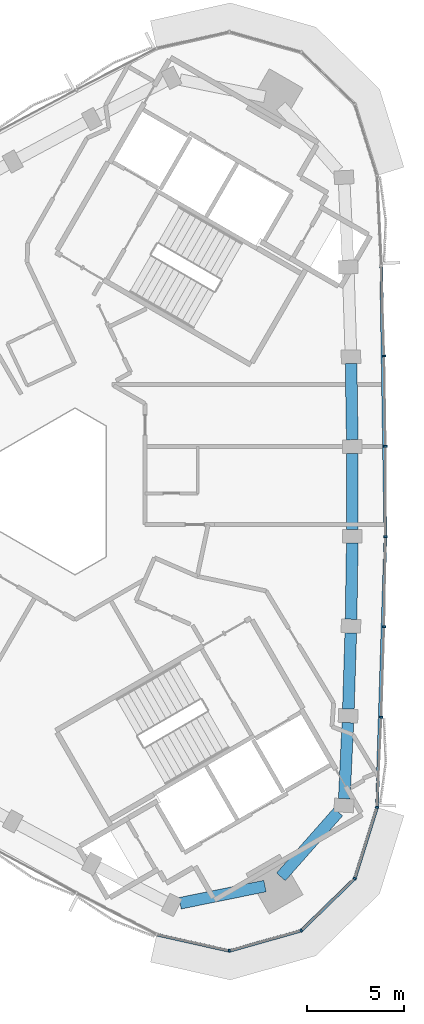
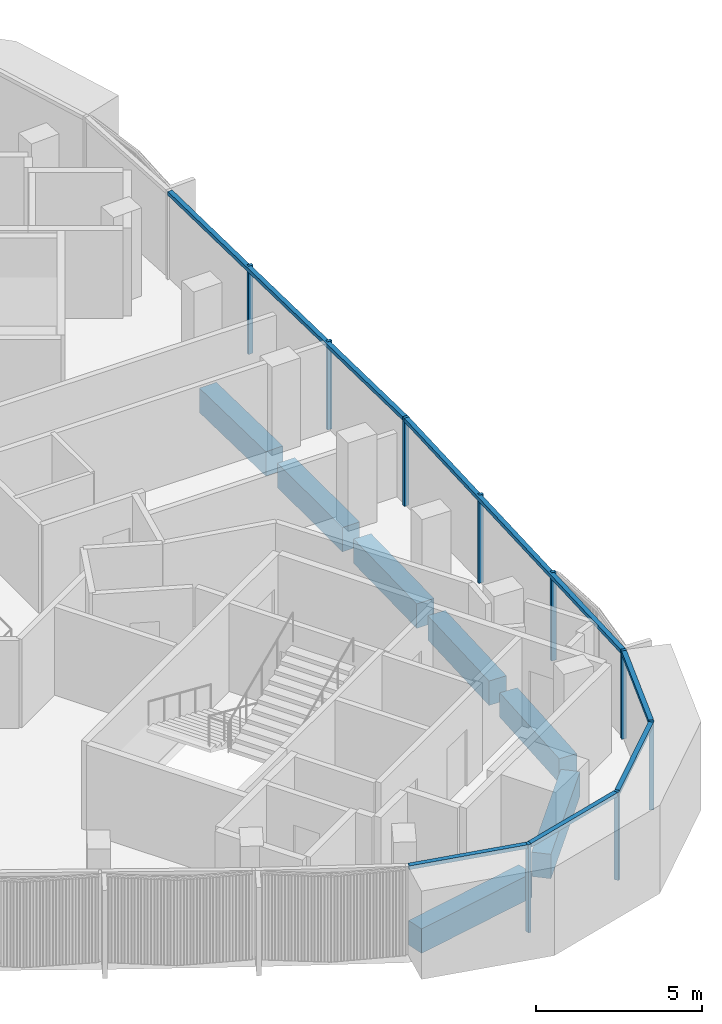
# One storey, part 3 of 12: 15 members, 7 beams, 2 elements without a shape of their own.
"""IFC4 building model written with IfcOpenShell, lengths in metres."""

import ifcopenshell
import ifcopenshell.guid

model = None  # the IFC model being written
_history = None  # IfcOwnerHistory: only IFC2X3 demands one
_inside = {}  # id of a spatial element -> (the spatial element, [elements in it])
_under = {}  # id of a project, library or spatial element -> (it, [spatial elements below it])
_declared = {}  # id of a project -> (the project, [libraries it declares])
_typed = {}  # id of a type object -> (the type object, [elements of that type])
_made_of = {}  # id of a material, layer set ... -> (it, [elements and type objects made of it])


def new_model(schema):
    """Start an empty IFC model of exactly this schema.

    Asked for "IFC4X3", IfcOpenShell would pick the latest addendum, in which some entities
    have other attributes; the version numbers below select the first issue.
    IFC2X3 requires an IfcOwnerHistory on every rooted entity: one is made here for all.
    """
    global model, _history
    if schema == "IFC4X3":
        model = ifcopenshell.file(schema_version=(4, 3, 0, 0))
    else:
        model = ifcopenshell.file(schema=schema)
    _inside.clear()
    _under.clear()
    _declared.clear()
    _typed.clear()
    _made_of.clear()
    _history = None
    if model.schema == "IFC2X3":
        org = make("IfcOrganization", Name="unknown")
        user = make(
            "IfcPersonAndOrganization",
            ThePerson=make("IfcPerson", FamilyName="unknown"),
            TheOrganization=org,
        )
        app = make(
            "IfcApplication",
            ApplicationDeveloper=org,
            Version="unknown",
            ApplicationFullName="unknown",
            ApplicationIdentifier="unknown",
        )
        _history = make(
            "IfcOwnerHistory",
            OwningUser=user,
            OwningApplication=app,
            ChangeAction="ADDED",
            CreationDate=0,
        )
    return model


def make(cls, **values):
    """One entity of the class cls with the attributes given. An attribute that is None is left unset."""
    return model.create_entity(
        cls, **{name: value for name, value in values.items() if value is not None}
    )


def rooted(cls, **values):
    """An entity with a GlobalId (a new one), such as an element, a storey or a relation."""
    return make(cls, GlobalId=ifcopenshell.guid.new(), OwnerHistory=_history, **values)


def si_unit(unit_type, name, prefix=None):
    """IfcSIUnit, for example si_unit("LENGTHUNIT", "METRE", prefix="MILLI")."""
    return make("IfcSIUnit", UnitType=unit_type, Prefix=prefix, Name=name)


def assignment(units):
    """IfcUnitAssignment: the units of a project."""
    return None if units is None else make("IfcUnitAssignment", Units=units)


def point(xyz):
    """IfcCartesianPoint."""
    return None if xyz is None else make("IfcCartesianPoint", Coordinates=xyz)


def direction(xyz):
    """IfcDirection."""
    return None if xyz is None else make("IfcDirection", DirectionRatios=xyz)


def frame(location, z_axis=None, x_axis=None):
    """IfcAxis2Placement3D, a coordinate frame: its origin and axes. An axis left out is left unset."""
    return make(
        "IfcAxis2Placement3D",
        Location=point(location),
        Axis=direction(z_axis),
        RefDirection=direction(x_axis),
    )


def frame_2d(location, x_axis=None):
    """IfcAxis2Placement2D, a coordinate frame in the plane: its origin and x axis."""
    return make(
        "IfcAxis2Placement2D", Location=point(location), RefDirection=direction(x_axis)
    )


def origin():
    """The frame at (0, 0, 0) with its axes left unset."""
    return frame((0.0, 0.0, 0.0))


def origin_2d():
    """The frame at (0, 0) in the plane with its x axis left unset."""
    return frame_2d((0.0, 0.0))


def place(relative_to, where):
    """IfcLocalPlacement: puts the frame where relative to a parent placement (None: the world)."""
    return make(
        "IfcLocalPlacement", PlacementRelTo=relative_to, RelativePlacement=where
    )


def context(
    kind, dimensions, precision=None, world=None, true_north=None, identifier=None
):
    """IfcGeometricRepresentationContext, for example the 3D "Model" context."""
    return make(
        "IfcGeometricRepresentationContext",
        ContextIdentifier=identifier,
        ContextType=kind,
        CoordinateSpaceDimension=dimensions,
        Precision=precision,
        WorldCoordinateSystem=world,
        TrueNorth=true_north,
    )


def subcontext(parent, identifier, kind, view, scale=None):
    """IfcGeometricRepresentationSubContext, for example "Body" below "Model"."""
    return make(
        "IfcGeometricRepresentationSubContext",
        ContextIdentifier=identifier,
        ContextType=kind,
        ParentContext=parent,
        TargetScale=scale,
        TargetView=view,
    )


def project(units=None, contexts=None):
    """IfcProject with its units and contexts."""
    return rooted(
        "IfcProject",
        Name="project",
        RepresentationContexts=contexts,
        UnitsInContext=assignment(units),
    )


def spatial(cls, under=None, at=None, **own):
    """A site, building, storey or space (cls), placed at a placement, below another one or the project."""
    s = rooted(cls, ObjectPlacement=at, **own)
    if under is not None:
        _under.setdefault(under.id(), (under, []))[1].append(s)
    return s


def profile(cls, at=None, kind="AREA", **sizes):
    """A parametric profile (cls). Its sizes go by their IFC names, for example OverallWidth=200.0."""
    return make(cls, ProfileType=kind, Position=at, **sizes)


def rectangle(**sizes):
    """IfcRectangleProfileDef."""
    return profile("IfcRectangleProfileDef", **sizes)


def extrude(swept, where, along, depth):
    """IfcExtrudedAreaSolid: the profile swept, set in the frame where, extruded along a direction by depth."""
    return make(
        "IfcExtrudedAreaSolid",
        SweptArea=swept,
        Position=where,
        ExtrudedDirection=direction(along),
        Depth=depth,
    )


def shape(context_of_items, identifier, shape_type, items):
    """IfcShapeRepresentation: the items that make up one representation, for example the "Body"."""
    return make(
        "IfcShapeRepresentation",
        ContextOfItems=context_of_items,
        RepresentationIdentifier=identifier,
        RepresentationType=shape_type,
        Items=items,
    )


def material(Name=None, Category=None):
    """IfcMaterial."""
    return make("IfcMaterial", Name=Name, Category=Category)


def material_profile(
    of_material, cross_section, Name=None, Category=None, Priority=None
):
    """IfcMaterialProfile: a cross section and its material."""
    return make(
        "IfcMaterialProfile",
        Name=Name,
        Material=of_material,
        Profile=cross_section,
        Priority=Priority,
        Category=Category,
    )


def profile_set(profiles, Name=None, composite=None):
    """IfcMaterialProfileSet."""
    return make(
        "IfcMaterialProfileSet",
        Name=Name,
        MaterialProfiles=profiles,
        CompositeProfile=composite,
    )


def made_of(thing, what):
    """Note that an element or type object is made of a material, layer set ...; save() writes the relation."""
    if what is not None:
        _made_of.setdefault(what.id(), (what, []))[1].append(thing)
    return thing


def type_object(cls, material=None, **own):
    """A type object (cls), such as IfcWallType, which elements share."""
    return made_of(rooted(cls, **own), material)


def element(
    cls,
    number,
    at=None,
    inside=None,
    cuts=None,
    type_object=None,
    material=None,
    context=None,
    identifier="Body",
    shape_type=None,
    held_by="IfcProductDefinitionShape",
    body=None,
    shapes=None,
    **own,
):
    """One element of the class cls, such as IfcWall. Its Tag is "e" and its number.

    at: its placement. inside: the storey or other place that contains it. cuts: it is an
    opening in that element (IfcRelVoidsElement). A single representation is given by context,
    identifier, shape_type and body (its items); several are given by shapes. held_by: the class
    of the entity that holds the representations. save() writes the other relations.
    """
    e = rooted(cls, Tag="e%d" % number, ObjectPlacement=at, **own)
    if body is not None:
        shapes = [shape(context, identifier, shape_type, body)]
    if shapes is not None:
        e.Representation = make(held_by, Representations=shapes)
    if inside is not None:
        _inside.setdefault(inside.id(), (inside, []))[1].append(e)
    if cuts is not None:
        rooted(
            "IfcRelVoidsElement", RelatingBuildingElement=cuts, RelatedOpeningElement=e
        )
    if type_object is not None:
        _typed.setdefault(type_object.id(), (type_object, []))[1].append(e)
    return made_of(e, material)


def aggregate(whole, parts):
    """IfcRelAggregates: a whole, such as a stair, and the parts it consists of."""
    return rooted("IfcRelAggregates", RelatingObject=whole, RelatedObjects=parts)


def save(model, path):
    """Write the relations noted so far, then the file.

    IfcRelAggregates (storeys below a building ...), IfcRelContainedInSpatialStructure (elements
    in a storey), IfcRelDefinesByType, IfcRelAssociatesMaterial and IfcRelDeclares: one each for
    every whole, place, type object, material and project.
    """
    for whole, parts in _under.values():
        aggregate(whole, parts)
    for where, things in _inside.values():
        rooted(
            "IfcRelContainedInSpatialStructure",
            RelatedElements=things,
            RelatingStructure=where,
        )
    for kind, things in _typed.values():
        rooted("IfcRelDefinesByType", RelatedObjects=things, RelatingType=kind)
    for what, things in _made_of.values():
        rooted("IfcRelAssociatesMaterial", RelatedObjects=things, RelatingMaterial=what)
    for by, libraries in _declared.values():
        rooted("IfcRelDeclares", RelatingContext=by, RelatedDefinitions=libraries)
    model.write(path)


model = new_model("IFC4")

# Units and contexts
model_context = context("Model", 3, precision=1e-05, world=origin(), true_north=direction((0.0, 1.0)))
body_context = subcontext(model_context, "Body", "Model", "MODEL_VIEW")
ifc_project = project(units=[si_unit("LENGTHUNIT", "METRE"), si_unit("AREAUNIT", "SQUARE_METRE"), si_unit("VOLUMEUNIT", "CUBIC_METRE"), si_unit("PLANEANGLEUNIT", "RADIAN"), si_unit("MASSUNIT", "GRAM", prefix="KILO")], contexts=[model_context])

# Site, building, storey
site_placement = place(None, origin())
site = spatial("IfcSite", under=ifc_project, at=site_placement, CompositionType="ELEMENT")
building_placement = place(site_placement, origin())
building = spatial("IfcBuilding", under=site, at=building_placement, Name="Tamra Quay Hotel Tower", CompositionType="ELEMENT")
storey_placement = place(building_placement, frame((0.0, 0.0, 269.39990234375)))
storey = spatial("IfcBuildingStorey", under=building, at=storey_placement, Name="L68", CompositionType="ELEMENT", Elevation=269.39990234375)

# Curtain wall, members
ifc_material_1 = material(Name="Aluminium 6063 anodised dark grey", Category="aluminium")
curtain_wall_type_1 = type_object("IfcCurtainWallType", Name="CW1 CURTAIN WALL", PredefinedType="NOTDEFINED", material=ifc_material_1)
curtain_wall_1_placement = place(storey_placement, origin())
curtain_wall_1 = element("IfcCurtainWall", 1, at=curtain_wall_1_placement, inside=storey, type_object=curtain_wall_type_1, Name="CW1 east face L68", PredefinedType="NOTDEFINED")
ifc_material_profile_1 = material_profile(ifc_material_1, rectangle(XDim=0.159912109375, YDim=0.10009765625, at=origin_2d()), Name="MULLION 100X160")
ifc_profile_set_1 = profile_set([ifc_material_profile_1], Name="Aluminium 6063 anodised dark grey")
member_type_1 = type_object("IfcMemberType", Name="MULLION CW1 Z6", PredefinedType="MULLION", material=ifc_profile_set_1)
member_1_placement = place(storey_placement, frame((16.89990234375, -16.210205078125, 0.0), z_axis=(0.0, 0.0, 1.0), x_axis=(0.984739919862, -0.174032440167, 0.0)))
member_1 = element("IfcMember", 2, at=member_1_placement, type_object=member_type_1, Name="CW1 mullion L68.E.1", PredefinedType="MULLION", context=body_context, shape_type="SweptSolid", body=[
    extrude(rectangle(XDim=0.159912109375, YDim=0.10009765625, at=origin_2d()), origin(), (0.0, 0.0, 1.0), 3.25),
])
member_2_placement = place(storey_placement, frame((17.116943359375, -11.580810546875, 0.0), z_axis=(0.0, 0.0, 1.0), x_axis=(0.999237932992, -0.039032720501, 0.0)))
member_2 = element("IfcMember", 3, at=member_2_placement, type_object=member_type_1, Name="CW1 mullion L68.E.2", PredefinedType="MULLION", context=body_context, shape_type="SweptSolid", body=[
    extrude(rectangle(XDim=0.159912109375, YDim=0.10009765625, at=origin_2d()), origin(), (0.0, 0.0, 1.0), 3.25),
])
member_3_placement = place(storey_placement, frame((17.26171875, -6.950439453125, 0.0), z_axis=(0.0, 0.0, 1.0), x_axis=(0.999725296711, -0.023437813791, 0.0)))
member_3 = element("IfcMember", 4, at=member_3_placement, type_object=member_type_1, Name="CW1 mullion L68.E.3", PredefinedType="MULLION", context=body_context, shape_type="SweptSolid", body=[
    extrude(rectangle(XDim=0.159912109375, YDim=0.10009765625, at=origin_2d()), origin(), (0.0, 0.0, 1.0), 3.25),
])
member_4_placement = place(storey_placement, frame((17.333984375, -2.31689453125, 0.0), z_axis=(0.0, 0.0, 1.0), x_axis=(0.999969451196, -0.007816436173, 0.0)))
member_4 = element("IfcMember", 5, at=member_4_placement, type_object=member_type_1, Name="CW1 mullion L68.E.4", PredefinedType="MULLION", context=body_context, shape_type="SweptSolid", body=[
    extrude(rectangle(XDim=0.159912109375, YDim=0.10009765625, at=origin_2d()), origin(), (0.0, 0.0, 1.0), 3.25),
])
member_5_placement = place(storey_placement, frame((17.333984375, 2.31689453125, 0.0), z_axis=(0.0, 0.0, 1.0), x_axis=(0.999969451196, 0.007816436173, 0.0)))
member_5 = element("IfcMember", 6, at=member_5_placement, type_object=member_type_1, Name="CW1 mullion L68.E.5", PredefinedType="MULLION", context=body_context, shape_type="SweptSolid", body=[
    extrude(rectangle(XDim=0.159912109375, YDim=0.10009765625, at=origin_2d()), origin(), (0.0, 0.0, 1.0), 3.25),
])
member_6_placement = place(storey_placement, frame((17.26171875, 6.950439453125, 0.0), z_axis=(0.0, 0.0, 1.0), x_axis=(0.999725296711, 0.023437813791, 0.0)))
member_6 = element("IfcMember", 7, at=member_6_placement, type_object=member_type_1, Name="CW1 mullion L68.E.6", PredefinedType="MULLION", context=body_context, shape_type="SweptSolid", body=[
    extrude(rectangle(XDim=0.159912109375, YDim=0.10009765625, at=origin_2d()), origin(), (0.0, 0.0, 1.0), 3.25),
])

curtain_wall_type_2 = type_object("IfcCurtainWallType", Name="CW3 CURTAIN WALL", PredefinedType="NOTDEFINED", material=ifc_material_1)
curtain_wall_2_placement = place(storey_placement, origin())
curtain_wall_2 = element("IfcCurtainWall", 8, at=curtain_wall_2_placement, inside=storey, type_object=curtain_wall_type_2, Name="CW3 south-west face L68", PredefinedType="NOTDEFINED")
ifc_material_profile_2 = material_profile(ifc_material_1, rectangle(XDim=0.159912109375, YDim=0.10009765625, at=origin_2d()), Name="MULLION 100X160")
ifc_profile_set_2 = profile_set([ifc_material_profile_2], Name="Aluminium 6063 anodised dark grey")
member_type_2 = type_object("IfcMemberType", Name="MULLION CW3 Z6", PredefinedType="MULLION", material=ifc_profile_set_2)
member_7_placement = place(storey_placement, frame((9.325927734375, -23.578857421875, 0.0), z_axis=(0.0, 0.0, 1.0), x_axis=(0.027468865497, -0.999622659521, 0.0)))
member_7 = element("IfcMember", 9, at=member_7_placement, type_object=member_type_2, Name="CW3 mullion L68.SW.9", PredefinedType="MULLION", context=body_context, shape_type="SweptSolid", body=[
    extrude(rectangle(XDim=0.159912109375, YDim=0.10009765625, at=origin_2d()), origin(), (0.0, 0.0, 1.0), 3.25),
])
member_8_placement = place(storey_placement, frame((13.01171875, -22.536865234375, 0.0), z_axis=(0.0, 0.0, 1.0), x_axis=(0.5, -0.866025403784, 0.0)))
member_8 = element("IfcMember", 10, at=member_8_placement, type_object=member_type_2, Name="CW3 mullion L68.SW.10", PredefinedType="MULLION", context=body_context, shape_type="SweptSolid", body=[
    extrude(rectangle(XDim=0.159912109375, YDim=0.10009765625, at=origin_2d()), origin(), (0.0, 0.0, 1.0), 3.25),
])
member_9_placement = place(storey_placement, frame((15.757080078125, -19.865966796875, 0.0), z_axis=(0.0, 0.0, 1.0), x_axis=(0.851964184595, -0.523600065094, 0.0)))
member_9 = element("IfcMember", 11, at=member_9_placement, type_object=member_type_2, Name="CW3 mullion L68.SW.11", PredefinedType="MULLION", context=body_context, shape_type="SweptSolid", body=[
    extrude(rectangle(XDim=0.159912109375, YDim=0.10009765625, at=origin_2d()), origin(), (0.0, 0.0, 1.0), 3.25),
])

# Beams
ifc_material_2 = material(Name="Concrete M60", Category="concrete")
ifc_material_profile_3 = material_profile(ifc_material_2, rectangle(XDim=0.60009765625, YDim=0.89990234375, at=origin_2d()), Name="SPANDREL BEAM RC 600x900")
ifc_profile_set_3 = profile_set([ifc_material_profile_3], Name="Concrete M60")
beam_type = type_object("IfcBeamType", Name="SPANDREL BEAM RC 600x900", PredefinedType="SPANDREL", material=ifc_profile_set_3)
beam_1_placement = place(storey_placement, frame((15.218994140625, -15.767333984375, -0.7998046875), z_axis=(0.04680507522, 0.998904041905, 0.0), x_axis=(-0.998904041905, 0.04680507522, 0.0)))
element("IfcBeam", 12, at=beam_1_placement, inside=storey, type_object=beam_type, Name="BM-SP6-000-L68", PredefinedType="SPANDREL", context=body_context, shape_type="SweptSolid", body=[
    extrude(rectangle(XDim=0.60009765625, YDim=0.89990234375, at=origin_2d()), origin(), (0.0, 0.0, 1.0), 3.906982421875),
])
beam_2_placement = place(storey_placement, frame((15.42919921875, -11.165283203125, -0.7998046875), z_axis=(0.031240604276, 0.999511893198, 0.0), x_axis=(-0.999511893198, 0.031240604276, 0.0)))
element("IfcBeam", 13, at=beam_2_placement, inside=storey, type_object=beam_type, Name="BM-SP6-001-L68", PredefinedType="SPANDREL", context=body_context, shape_type="SweptSolid", body=[
    extrude(rectangle(XDim=0.60009765625, YDim=0.89990234375, at=origin_2d()), origin(), (0.0, 0.0, 1.0), 3.907470703125),
])
beam_3_placement = place(storey_placement, frame((15.567626953125, -6.559814453125, -0.7998046875), z_axis=(0.015623093001, 0.999877952035, 0.0), x_axis=(-0.999877952035, 0.015623093001, 0.0)))
element("IfcBeam", 14, at=beam_3_placement, inside=storey, type_object=beam_type, Name="BM-SP6-002-L68", PredefinedType="SPANDREL", context=body_context, shape_type="SweptSolid", body=[
    extrude(rectangle(XDim=0.60009765625, YDim=0.89990234375, at=origin_2d()), origin(), (0.0, 0.0, 1.0), 3.90673828125),
])
beam_4_placement = place(storey_placement, frame((15.634033203125, -1.95361328125, -0.7998046875), z_axis=(0.0, 1.0, 0.0), x_axis=(-1.0, 0.0, 0.0)))
element("IfcBeam", 15, at=beam_4_placement, inside=storey, type_object=beam_type, Name="BM-SP6-003-L68", PredefinedType="SPANDREL", context=body_context, shape_type="SweptSolid", body=[
    extrude(rectangle(XDim=0.60009765625, YDim=0.89990234375, at=origin_2d()), origin(), (0.0, 0.0, 1.0), 3.9072265625),
])
beam_5_placement = place(storey_placement, frame((15.628662109375, 2.653564453125, -0.7998046875), z_axis=(-0.015623093001, 0.999877952035, 0.0), x_axis=(-0.999877952035, -0.015623093001, 0.0)))
element("IfcBeam", 16, at=beam_5_placement, inside=storey, type_object=beam_type, Name="BM-SP6-004-L68", PredefinedType="SPANDREL", context=body_context, shape_type="SweptSolid", body=[
    extrude(rectangle(XDim=0.60009765625, YDim=0.89990234375, at=origin_2d()), origin(), (0.0, 0.0, 1.0), 3.90673828125),
])
beam_6_placement = place(storey_placement, frame((6.79345703125, -21.1357421875, -0.7998046875), z_axis=(0.980114952618, 0.198430541133, 0.0), x_axis=(-0.198430541133, 0.980114952618, 0.0)))
element("IfcBeam", 17, at=beam_6_placement, inside=storey, type_object=beam_type, Name="BM-SP6-025-L68", PredefinedType="SPANDREL", context=body_context, shape_type="SweptSolid", body=[
    extrude(rectangle(XDim=0.60009765625, YDim=0.89990234375, at=origin_2d()), origin(), (0.0, 0.0, 1.0), 4.441650390625),
])
beam_7_placement = place(storey_placement, frame((11.96728515625, -19.781005859375, -0.7998046875), z_axis=(0.661856103448, 0.749630908066, 0.0), x_axis=(-0.749630908066, 0.661856103448, 0.0)))
element("IfcBeam", 18, at=beam_7_placement, inside=storey, type_object=beam_type, Name="BM-SP6-026-L68", PredefinedType="SPANDREL", context=body_context, shape_type="SweptSolid", body=[
    extrude(rectangle(XDim=0.60009765625, YDim=0.89990234375, at=origin_2d()), origin(), (0.0, 0.0, 1.0), 4.44189453125),
])

# Member
ifc_material_profile_4 = material_profile(ifc_material_1, rectangle(XDim=0.159912109375, YDim=0.139892578125, at=origin_2d()), Name="TRANSOM 160X140")
ifc_profile_set_4 = profile_set([ifc_material_profile_4], Name="Aluminium 6063 anodised dark grey")
member_type_3 = type_object("IfcMemberType", Name="TRANSOM CW1 Z6", PredefinedType="USERDEFINED", material=ifc_profile_set_4)
member_10_placement = place(storey_placement, frame((16.90234375, -16.160400390625, 3.18017578125), z_axis=(0.031224810835, 0.999512386711, 0.0), x_axis=(-0.999512386711, 0.031224810835, 0.0)))
member_10 = element("IfcMember", 19, at=member_10_placement, type_object=member_type_3, Name="CW1 transom L68.E.1", ObjectType="TRANSOM", PredefinedType="USERDEFINED", context=body_context, shape_type="SweptSolid", body=[
    extrude(rectangle(XDim=0.159912109375, YDim=0.139892578125, at=origin_2d()), origin(), (0.0, 0.0, 1.0), 13.80029296875),
])

member_11_placement = place(storey_placement, frame((17.333984375, -2.266845703125, 3.18017578125), z_axis=(-0.015621987524, 0.999877969307, 0.0), x_axis=(-0.999877969307, -0.015621987524, 0.0)))
member_11 = element("IfcMember", 20, at=member_11_placement, type_object=member_type_3, Name="CW1 transom L68.E.4", ObjectType="TRANSOM", PredefinedType="USERDEFINED", context=body_context, shape_type="SweptSolid", body=[
    extrude(rectangle(XDim=0.159912109375, YDim=0.139892578125, at=origin_2d()), origin(), (0.0, 0.0, 1.0), 13.799560546875),
])

aggregate(curtain_wall_1, [member_1, member_10, member_2, member_3, member_4, member_11, member_5, member_6])

ifc_material_profile_5 = material_profile(ifc_material_1, rectangle(XDim=0.159912109375, YDim=0.139892578125, at=origin_2d()), Name="TRANSOM 160X140")
ifc_profile_set_5 = profile_set([ifc_material_profile_5], Name="Aluminium 6063 anodised dark grey")
member_type_4 = type_object("IfcMemberType", Name="TRANSOM CW3 Z6", PredefinedType="USERDEFINED", material=ifc_profile_set_5)
member_12_placement = place(storey_placement, frame((5.63720703125, -22.751708984375, 3.18017578125), z_axis=(0.975757055509, -0.218856502356, 0.0), x_axis=(0.218856502356, 0.975757055509, 0.0)))
member_12 = element("IfcMember", 21, at=member_12_placement, type_object=member_type_4, Name="CW3 transom L68.SW.8", ObjectType="TRANSOM", PredefinedType="USERDEFINED", context=body_context, shape_type="SweptSolid", body=[
    extrude(rectangle(XDim=0.159912109375, YDim=0.139892578125, at=origin_2d()), origin(), (0.0, 0.0, 1.0), 3.730224609375),
])

member_13_placement = place(storey_placement, frame((9.3740234375, -23.5654296875, 3.18017578125), z_axis=(0.9622784918, 0.272066359955, 0.0), x_axis=(-0.272066359955, 0.9622784918, 0.0)))
member_13 = element("IfcMember", 22, at=member_13_placement, type_object=member_type_4, Name="CW3 transom L68.SW.9", ObjectType="TRANSOM", PredefinedType="USERDEFINED", context=body_context, shape_type="SweptSolid", body=[
    extrude(rectangle(XDim=0.159912109375, YDim=0.139892578125, at=origin_2d()), origin(), (0.0, 0.0, 1.0), 3.730224609375),
])

member_14_placement = place(storey_placement, frame((13.047607421875, -22.501953125, 3.18017578125), z_axis=(0.716759527702, 0.697320428102, 0.0), x_axis=(-0.697320428102, 0.716759527702, 0.0)))
member_14 = element("IfcMember", 23, at=member_14_placement, type_object=member_type_4, Name="CW3 transom L68.SW.10", ObjectType="TRANSOM", PredefinedType="USERDEFINED", context=body_context, shape_type="SweptSolid", body=[
    extrude(rectangle(XDim=0.159912109375, YDim=0.139892578125, at=origin_2d()), origin(), (0.0, 0.0, 1.0), 3.72998046875),
])

member_15_placement = place(storey_placement, frame((15.77197265625, -19.818359375, 3.18017578125), z_axis=(0.298383063983, 0.95444619918, 0.0), x_axis=(-0.95444619918, 0.298383063983, 0.0)))
member_15 = element("IfcMember", 24, at=member_15_placement, type_object=member_type_4, Name="CW3 transom L68.SW.11", ObjectType="TRANSOM", PredefinedType="USERDEFINED", context=body_context, shape_type="SweptSolid", body=[
    extrude(rectangle(XDim=0.159912109375, YDim=0.139892578125, at=origin_2d()), origin(), (0.0, 0.0, 1.0), 3.730224609375),
])

aggregate(curtain_wall_2, [member_12, member_7, member_13, member_8, member_14, member_9, member_15])

save(model, "model.ifc")
